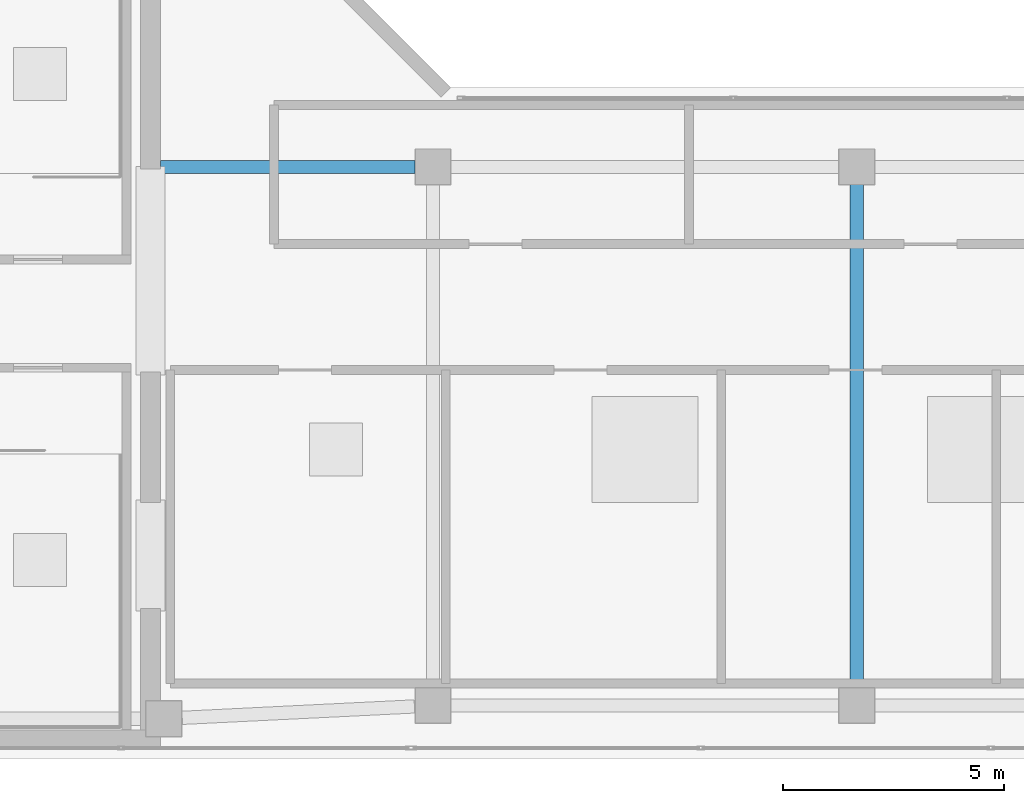
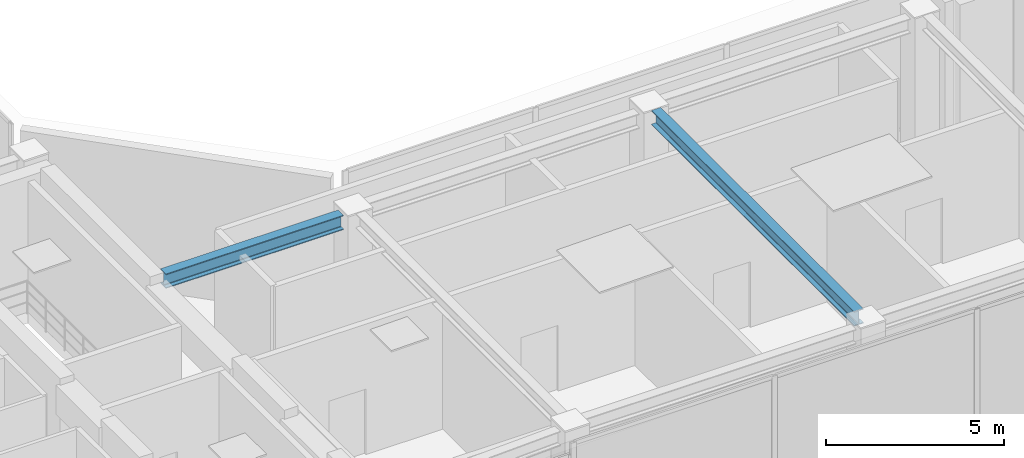
# One storey, part 7 of 22: 2 beams.
"""IFC4 building model written with IfcOpenShell, lengths in metres."""

from ifc_helpers import new_model, si_unit, direction, frame, origin, origin_2d, place, context, subcontext, project, spatial, i_section, extrude, material, material_profile, profile_set, type_object, element, save


model = new_model("IFC4")

# Units and contexts
model_context = context("Model", 3, precision=1e-05, world=origin(), true_north=direction((0.0, 1.0)))
body_context = subcontext(model_context, "Body", "Model", "MODEL_VIEW")
ifc_project = project(units=[si_unit("LENGTHUNIT", "METRE"), si_unit("AREAUNIT", "SQUARE_METRE"), si_unit("VOLUMEUNIT", "CUBIC_METRE"), si_unit("PLANEANGLEUNIT", "RADIAN"), si_unit("MASSUNIT", "GRAM", prefix="KILO")], contexts=[model_context])

# Site, building, storey
site_placement = place(None, origin())
site = spatial("IfcSite", under=ifc_project, at=site_placement, CompositionType="ELEMENT")
building_placement = place(site_placement, origin())
building = spatial("IfcBuilding", under=site, at=building_placement, Name="Kolvaren Waterfront Exchange", CompositionType="ELEMENT")
storey_placement = place(building_placement, frame((0.0, 0.0, 360.39990234375)))
storey = spatial("IfcBuildingStorey", under=building, at=storey_placement, Name="RF", CompositionType="ELEMENT", Elevation=360.39990234375)

# Beams
ifc_material = material(Name="Steel S355", Category="steel")
ifc_material_profile = material_profile(ifc_material, i_section(OverallWidth=0.300048828125, OverallDepth=0.5, WebThickness=0.014404296875, FlangeThickness=0.028076171875, FilletRadius=0.027099609375, at=origin_2d()), Name="HEB500")
ifc_profile_set = profile_set([ifc_material_profile], Name="Steel S355")
beam_type = type_object("IfcBeamType", Name="STR-BM-HEB500", PredefinedType="BEAM", material=ifc_profile_set)
beam_1_placement = place(storey_placement, frame((36.800048828125, 5.60205078125, 4.84375), z_axis=(0.0, 1.0, 0.0), x_axis=(-1.0, 0.0, 0.0)))
element("IfcBeam", 1, at=beam_1_placement, inside=storey, type_object=beam_type, Name="RF crown roof girder 7", PredefinedType="BEAM", context=body_context, shape_type="SweptSolid", body=[
    extrude(i_section(OverallWidth=0.300048828125, OverallDepth=0.5, WebThickness=0.014404296875, FlangeThickness=0.028076171875, FilletRadius=0.027099609375, at=origin_2d()), origin(), (0.0, 0.0, 1.0), 11.39599609375),
])
beam_2_placement = place(storey_placement, frame((21.030029296875, 17.39990234375, 4.54150390625), z_axis=(1.0, 0.0, 0.0), x_axis=(0.0, 1.0, 0.0)))
element("IfcBeam", 2, at=beam_2_placement, inside=storey, type_object=beam_type, Name="RF crown roof girder 9", PredefinedType="SPANDREL", context=body_context, shape_type="SweptSolid", body=[
    extrude(i_section(OverallWidth=0.300048828125, OverallDepth=0.5, WebThickness=0.014404296875, FlangeThickness=0.028076171875, FilletRadius=0.027099609375, at=origin_2d()), origin(), (0.0, 0.0, 1.0), 5.76806640625),
])

save(model, "model.ifc")
